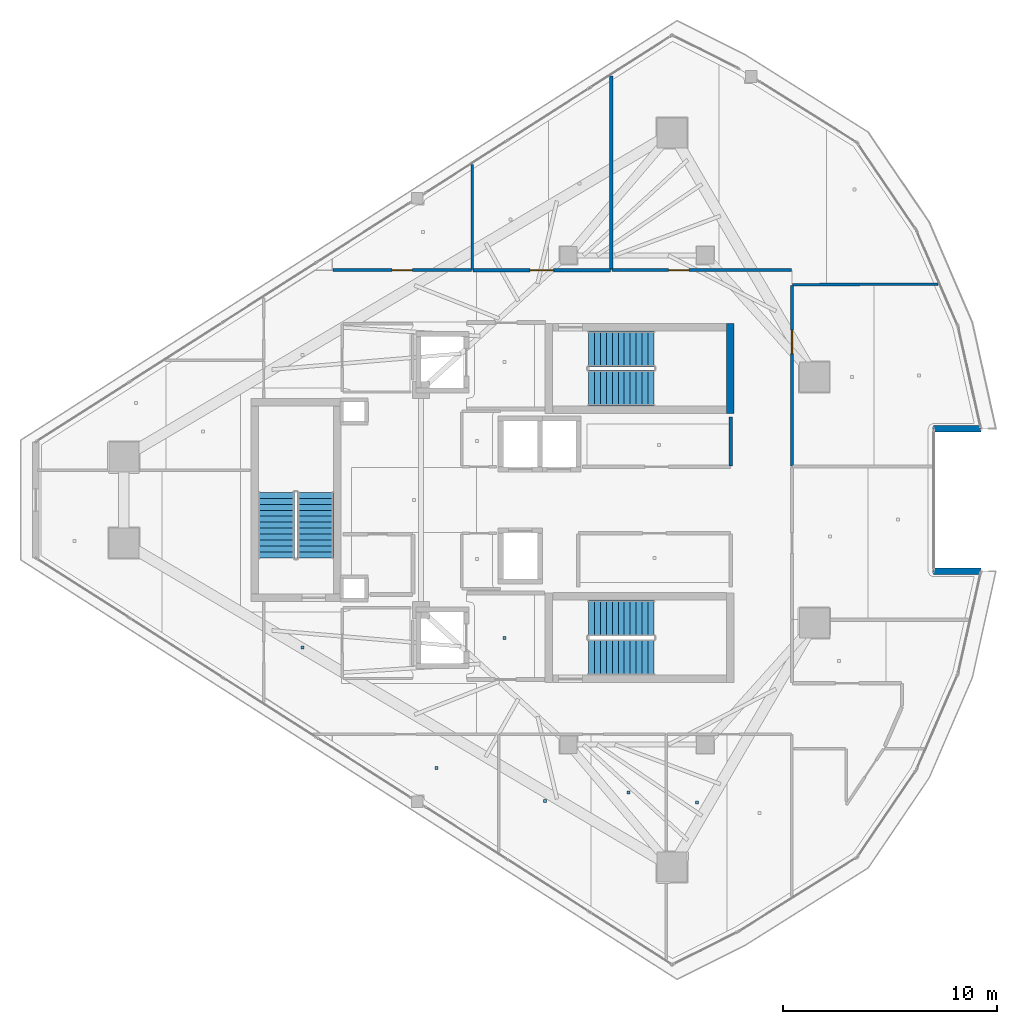
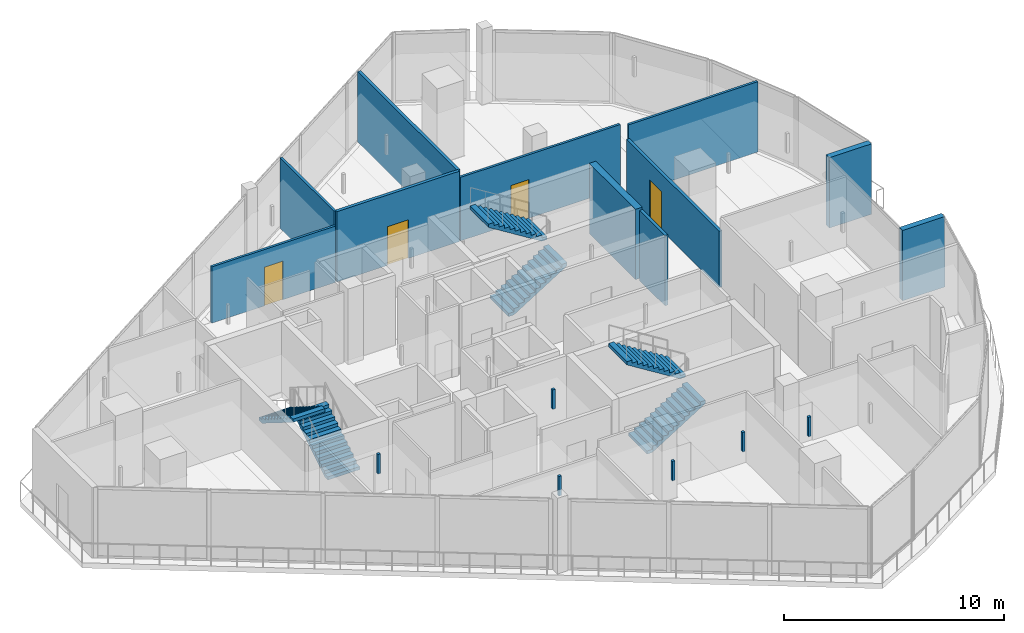
# One storey, part 17 of 23: 11 walls, 6 discrete accessories, 6 stair flights, 4 doors, 4 openings, 3 elements without a shape of their own.
"""IFC4 building model written with IfcOpenShell, lengths in metres."""

from ifc_helpers import new_model, si_unit, direction, frame, frame_2d, origin, origin_2d, place, context, subcontext, project, spatial, polyline, rectangle, outline, extrude, material, layer, layer_set, type_object, element, fill, aggregate, save


model = new_model("IFC4")

# Units and contexts
model_context = context("Model", 3, precision=1e-05, world=origin(), true_north=direction((0.0, 1.0)))
body_context = subcontext(model_context, "Body", "Model", "MODEL_VIEW")
ifc_project = project(units=[si_unit("LENGTHUNIT", "METRE"), si_unit("AREAUNIT", "SQUARE_METRE"), si_unit("VOLUMEUNIT", "CUBIC_METRE"), si_unit("PLANEANGLEUNIT", "RADIAN"), si_unit("MASSUNIT", "GRAM", prefix="KILO")], contexts=[model_context])

# Site, building, storey
site_placement = place(None, origin())
site = spatial("IfcSite", under=ifc_project, at=site_placement, CompositionType="ELEMENT")
building_placement = place(site_placement, origin())
building = spatial("IfcBuilding", under=site, at=building_placement, Name="Qorvath Tower", CompositionType="ELEMENT")
storey_placement = place(building_placement, frame((0.0, 0.0, 310.199951171875)))
storey = spatial("IfcBuildingStorey", under=building, at=storey_placement, Name="L72", CompositionType="ELEMENT", Elevation=310.199951171875)

# Wall
ifc_material_1 = material(Name="Double acoustic gypsum board on steel studs", Category="steel")
ifc_layer_1 = layer(ifc_material_1, 0.159912109375)
ifc_layer_set_1 = layer_set([ifc_layer_1], Name="IW-ACOUSTIC-160")
wall_type_1 = type_object("IfcWallType", Name="IW-ACOUSTIC-160", PredefinedType="PARTITIONING", material=ifc_layer_set_1)
wall_1_placement = place(storey_placement, frame((-16.0, 1.585205078125, 0.0), z_axis=(0.0, 0.0, 1.0), x_axis=(0.0, 1.0, 0.0)))
element("IfcWall", 1, at=wall_1_placement, inside=storey, type_object=wall_type_1, Name="Interior Partition IW-T1-L72-014", PredefinedType="PARTITIONING", context=body_context, shape_type="SweptSolid", body=[
    extrude(rectangle(XDim=2.30224609375, YDim=0.159912109375, at=frame_2d((1.151123046875, 0.0))), origin(), (0.0, 0.0, 1.0), 3.91015625),
])

# Wall, opening, door
wall_2_placement = place(storey_placement, frame((-28.06884765625, 10.758056640625, 0.0), z_axis=(0.0, 0.0, 1.0), x_axis=(1.0, 0.0, 0.0)))
wall_2 = element("IfcWall", 2, at=wall_2_placement, inside=storey, type_object=wall_type_1, Name="Interior Partition IW-T1-L72-029", PredefinedType="PARTITIONING", context=body_context, shape_type="SweptSolid", body=[
    extrude(rectangle(XDim=6.437744140625, YDim=0.159912109375, at=frame_2d((3.21875, 0.0))), origin(), (0.0, 0.0, 1.0), 3.91015625),
])
opening_1_placement = place(wall_2_placement, frame((2.6689453125, 0.0, 0.0)))
opening_1 = element("IfcOpeningElement", 3, at=opening_1_placement, cuts=wall_2, Name="Opening D-T1-L72-08", PredefinedType="OPENING", context=body_context, shape_type="SweptSolid", body=[
    extrude(rectangle(XDim=1.10009765625, YDim=2.14990234375, at=frame_2d((0.550048828125, 1.074951171875))), frame((0.0, 0.08984375, 0.0), z_axis=(0.0, -1.0, 0.0), x_axis=(1.0, 0.0, 0.0)), (0.0, 0.0, 1.0), 0.179931640625),
])
ifc_material_2 = material(Name="Anodised aluminium acoustic framed glass", Category="aluminium")
door_type_1 = type_object("IfcDoorType", Name="D-03", OperationType="NOTDEFINED", PredefinedType="DOOR", material=ifc_material_2)
door_1_placement = place(opening_1_placement, origin())
door_1 = element("IfcDoor", 4, at=door_1_placement, inside=storey, type_object=door_type_1, Name="L72-02 Client Services Office Door D-T1-L72-08", OperationType="SINGLE_SWING_LEFT", OverallHeight=2.14990234375, OverallWidth=1.10009765625, PredefinedType="DOOR", context=body_context, shape_type="SweptSolid", body=[
    extrude(rectangle(XDim=1.10009765625, YDim=2.14990234375, at=frame_2d((0.550048828125, 1.074951171875))), frame((0.0, 0.02490234375, 0.0), z_axis=(0.0, -1.0, 0.0), x_axis=(1.0, 0.0, 0.0)), (0.0, 0.0, 1.0), 0.050048828125),
])
fill(opening_1, door_1)

# Wall
wall_3_placement = place(storey_placement, frame((-21.606201171875, 10.783203125, 0.0), z_axis=(0.0, 0.0, 1.0), x_axis=(0.0, 1.0, 0.0)))
element("IfcWall", 5, at=wall_3_placement, inside=storey, type_object=wall_type_1, Name="Interior Partition IW-T1-L72-030", PredefinedType="PARTITIONING", context=body_context, shape_type="SweptSolid", body=[
    extrude(rectangle(XDim=9.05859375, YDim=0.159912109375, at=frame_2d((4.529296875, 0.0))), origin(), (0.0, 0.0, 1.0), 3.91015625),
])

# Wall, opening, door
wall_4_placement = place(storey_placement, frame((-13.14208984375, 10.041259765625, 0.0), z_axis=(0.0, 0.0, 1.0), x_axis=(0.0, -1.0, 0.0)))
wall_4 = element("IfcWall", 6, at=wall_4_placement, inside=storey, type_object=wall_type_1, Name="Interior Partition IW-T1-L72-051", PredefinedType="PARTITIONING", context=body_context, shape_type="SweptSolid", body=[
    extrude(rectangle(XDim=8.440673828125, YDim=0.159912109375, at=frame_2d((4.22021484375, 0.0))), origin(), (0.0, 0.0, 1.0), 3.130126953125),
])
opening_2_placement = place(wall_4_placement, frame((2.097412109375, 0.0, 0.0)))
opening_2 = element("IfcOpeningElement", 7, at=opening_2_placement, cuts=wall_4, Name="Opening D-T1-L72-15", PredefinedType="OPENING", context=body_context, shape_type="SweptSolid", body=[
    extrude(rectangle(XDim=1.10009765625, YDim=2.14990234375, at=frame_2d((0.550048828125, 1.074951171875))), frame((0.0, 0.08984375, 0.0), z_axis=(0.0, -1.0, 0.0), x_axis=(1.0, 0.0, 0.0)), (0.0, 0.0, 1.0), 0.179931640625),
])
door_2_placement = place(opening_2_placement, origin())
door_2 = element("IfcDoor", 8, at=door_2_placement, inside=storey, type_object=door_type_1, Name="L72-10 Team Project Office Door D-T1-L72-15", OperationType="SINGLE_SWING_RIGHT", OverallHeight=2.14990234375, OverallWidth=1.10009765625, PredefinedType="DOOR", context=body_context, shape_type="SweptSolid", body=[
    extrude(rectangle(XDim=1.10009765625, YDim=2.14990234375, at=frame_2d((0.550048828125, 1.074951171875))), frame((0.0, 0.02490234375, 0.0), z_axis=(0.0, -1.0, 0.0), x_axis=(1.0, 0.0, 0.0)), (0.0, 0.0, 1.0), 0.050048828125),
])
fill(opening_2, door_2)

ifc_material_3 = material(Name="Gypsum board on metal studs with mineral wool", Category="gypsum")
ifc_layer_2 = layer(ifc_material_3, 0.125)
ifc_layer_set_2 = layer_set([ifc_layer_2], Name="IW-PART-125")
wall_type_2 = type_object("IfcWallType", Name="IW-PART-125", PredefinedType="PARTITIONING", material=ifc_layer_set_2)
wall_5_placement = place(storey_placement, frame((-34.625, 10.758056640625, 0.0), z_axis=(0.0, 0.0, 1.0), x_axis=(1.0, 0.0, 0.0)))
wall_5 = element("IfcWall", 9, at=wall_5_placement, inside=storey, type_object=wall_type_2, Name="Interior Partition IW-T1-L72-027", PredefinedType="PARTITIONING", context=body_context, shape_type="SweptSolid", body=[
    extrude(rectangle(XDim=6.498291015625, YDim=0.125, at=frame_2d((3.2490234375, 0.0))), origin(), (0.0, 0.0, 1.0), 3.130126953125),
])
opening_3_placement = place(wall_5_placement, frame((2.774169921875, 0.0, 0.0)))
opening_3 = element("IfcOpeningElement", 10, at=opening_3_placement, cuts=wall_5, Name="Opening D-T1-L72-21", PredefinedType="OPENING", context=body_context, shape_type="SweptSolid", body=[
    extrude(rectangle(XDim=0.949951171875, YDim=2.14990234375, at=frame_2d((0.47509765625, 1.074951171875))), frame((0.0, 0.072509765625, 0.0), z_axis=(0.0, -1.0, 0.0), x_axis=(1.0, 0.0, 0.0)), (0.0, 0.0, 1.0), 0.14501953125),
])
ifc_material_4 = material(Name="Solid-core American white oak veneer", Category="wood")
door_type_2 = type_object("IfcDoorType", Name="D-01", OperationType="NOTDEFINED", PredefinedType="DOOR", material=ifc_material_4)
door_3_placement = place(opening_3_placement, origin())
door_3 = element("IfcDoor", 11, at=door_3_placement, inside=storey, type_object=door_type_2, Name="L72-01 Staff Refreshment Pantry and Coffee Bar Door D-T1-L72-21", OperationType="SINGLE_SWING_RIGHT", OverallHeight=2.14990234375, OverallWidth=0.949951171875, PredefinedType="DOOR", context=body_context, shape_type="SweptSolid", body=[
    extrude(rectangle(XDim=0.949951171875, YDim=2.14990234375, at=frame_2d((0.47509765625, 1.074951171875))), frame((0.0, 0.02490234375, 0.0), z_axis=(0.0, -1.0, 0.0), x_axis=(1.0, 0.0, 0.0)), (0.0, 0.0, 1.0), 0.050048828125),
])
fill(opening_3, door_3)

# Wall
wall_6_placement = place(storey_placement, frame((-28.101806640625, 10.783203125, 0.0), z_axis=(0.0, 0.0, 1.0), x_axis=(0.0, 1.0, 0.0)))
element("IfcWall", 12, at=wall_6_placement, inside=storey, type_object=wall_type_2, Name="Interior Partition IW-T1-L72-028", PredefinedType="PARTITIONING", context=body_context, shape_type="SweptSolid", body=[
    extrude(rectangle(XDim=4.9072265625, YDim=0.125, at=frame_2d((2.45361328125, 0.0))), origin(), (0.0, 0.0, 1.0), 3.91015625),
])

# Wall, opening, door
wall_7_placement = place(storey_placement, frame((-21.573486328125, 10.758056640625, 0.0), z_axis=(0.0, 0.0, 1.0), x_axis=(1.0, 0.0, 0.0)))
wall_7 = element("IfcWall", 13, at=wall_7_placement, inside=storey, type_object=wall_type_2, Name="Interior Partition IW-T1-L72-031", PredefinedType="PARTITIONING", context=body_context, shape_type="SweptSolid", body=[
    extrude(rectangle(XDim=8.406494140625, YDim=0.125, at=frame_2d((4.203125, 0.0))), origin(), (0.0, 0.0, 1.0), 3.529052734375),
])
opening_4_placement = place(wall_7_placement, frame((2.6630859375, 0.0, 0.0)))
opening_4 = element("IfcOpeningElement", 14, at=opening_4_placement, cuts=wall_7, Name="Opening D-T1-L72-22", PredefinedType="OPENING", context=body_context, shape_type="SweptSolid", body=[
    extrude(rectangle(XDim=0.949951171875, YDim=2.14990234375, at=frame_2d((0.47509765625, 1.074951171875))), frame((0.0, 0.072509765625, 0.0), z_axis=(0.0, -1.0, 0.0), x_axis=(1.0, 0.0, 0.0)), (0.0, 0.0, 1.0), 0.14501953125),
])
door_4_placement = place(opening_4_placement, origin())
door_4 = element("IfcDoor", 15, at=door_4_placement, inside=storey, type_object=door_type_2, Name="L72-03 Project Collaboration Workspace Door D-T1-L72-22", OperationType="SINGLE_SWING_LEFT", OverallHeight=2.14990234375, OverallWidth=0.949951171875, PredefinedType="DOOR", context=body_context, shape_type="SweptSolid", body=[
    extrude(rectangle(XDim=0.949951171875, YDim=2.14990234375, at=frame_2d((0.47509765625, 1.074951171875))), frame((0.0, 0.02490234375, 0.0), z_axis=(0.0, -1.0, 0.0), x_axis=(1.0, 0.0, 0.0)), (0.0, 0.0, 1.0), 0.050048828125),
])
fill(opening_4, door_4)

# Walls
wall_8_placement = place(storey_placement, frame((-13.1171875, 10.07421875, 0.0), z_axis=(0.0, 0.0, 1.0), x_axis=(0.999991048549, 0.004231172681, 0.0)))
element("IfcWall", 16, at=wall_8_placement, inside=storey, type_object=wall_type_2, Name="Interior Partition IW-T1-L72-032", PredefinedType="PARTITIONING", context=body_context, shape_type="SweptSolid", body=[
    extrude(rectangle(XDim=6.80859375, YDim=0.125, at=frame_2d((3.404296875, 0.0))), origin(), (0.0, 0.0, 1.0), 3.91015625),
])
ifc_material_5 = material(Name="Concrete C60/75", Category="concrete")
ifc_layer_3 = layer(ifc_material_5, 0.35009765625)
ifc_layer_set_3 = layer_set([ifc_layer_3], Name="SW-STAIR")
wall_type_3 = type_object("IfcWallType", Name="SW-STAIR", PredefinedType="SHEAR", material=ifc_layer_set_3)
wall_9_placement = place(storey_placement, frame((-16.02490234375, 4.050048828125, 0.0), z_axis=(0.0, 0.0, 1.0), x_axis=(0.0, 1.0, 0.0)))
element("IfcWall", 17, at=wall_9_placement, inside=storey, type_object=wall_type_3, Name="Stair TS1 Shear Wall L72 FAR", PredefinedType="SHEAR", context=body_context, shape_type="SweptSolid", body=[
    extrude(rectangle(XDim=4.2099609375, YDim=0.35009765625, at=frame_2d((2.10498046875, 0.0))), origin(), (0.0, 0.0, 1.0), 3.91015625),
])
ifc_material_6 = material(Name="Precast concrete C45/55", Category="concrete")
ifc_layer_4 = layer(ifc_material_6, 0.300048828125)
ifc_layer_set_4 = layer_set([ifc_layer_4], Name="WL-EW-LOG-300")
wall_type_4 = type_object("IfcWallType", Name="WL-EW-LOG-300", PredefinedType="SOLIDWALL", material=ifc_layer_set_4)
for number, where, z_axis, x_axis, name in (
    (18, (-4.2939453125, -3.331787109375, 0.0), (0.0, 0.0, 1.0), (-1.0, 0.0, 0.0), "Tower Precast Loggia Wall L72-8.1"),
    (19, (-6.51513671875, 3.331787109375, 0.0), (0.0, 0.0, 1.0), (1.0, 0.0, 0.0), "Tower Precast Loggia Wall L72-10.1"),
):
    element("IfcWall", number, at=place(storey_placement, frame(where, z_axis=z_axis, x_axis=x_axis)), inside=storey, type_object=wall_type_4, Name=name, PredefinedType="SOLIDWALL", context=body_context, shape_type="SweptSolid", body=[
        extrude(rectangle(XDim=2.22119140625, YDim=0.300048828125, at=frame_2d((1.110595703125, 0.0))), origin(), (0.0, 0.0, 1.0), 3.91015625),
    ])

# Stair, stair flights
ifc_material_7 = material(Name="Concrete C50/60", Category="concrete")
stair_type = type_object("IfcStairType", Name="ST-H420", PredefinedType="HALF_TURN_STAIR", material=ifc_material_7)
stair_1_placement = place(storey_placement, origin())
stair_1 = element("IfcStair", 20, at=stair_1_placement, inside=storey, type_object=stair_type, Name="L72 Tower Exit Stair 1", PredefinedType="HALF_TURN_STAIR")
ifc_material_8 = material(Name="Concrete C50/60", Category="concrete")
ifc_layer_5 = layer(ifc_material_8, 0.14990234375)
ifc_layer_set_5 = layer_set([ifc_layer_5], Name="SF-H420")
stair_flight_type = type_object("IfcStairFlightType", Name="SF-H420", PredefinedType="STRAIGHT", material=ifc_layer_set_5)
stair_flight_1_placement = place(storey_placement, frame((-22.669921875, 5.239990234375, 0.0), z_axis=(0.0, 0.0, 1.0), x_axis=(1.0, 0.0, 0.0)))
stair_flight_1 = element("IfcStairFlight", 21, at=stair_flight_1_placement, type_object=stair_flight_type, Name="TS1 flight 1", NumberOfRisers=12, NumberOfTreads=11, PredefinedType="STRAIGHT", RiserHeight=0.175, TreadLength=0.28, context=body_context, shape_type="SweptSolid", body=[
    extrude(outline(polyline([(0.0, 0.0), (0.0, 0.175048828125), (0.280029296875, 0.175048828125), (0.280029296875, 0.35009765625), (0.56005859375, 0.35009765625), (0.56005859375, 0.52490234375), (0.840087890625, 0.52490234375), (0.840087890625, 0.699951171875), (1.1201171875, 0.699951171875), (1.1201171875, 0.875), (1.39990234375, 0.875), (1.39990234375, 1.050048828125), (1.679931640625, 1.050048828125), (1.679931640625, 1.22509765625), (1.9599609375, 1.22509765625), (1.9599609375, 1.39990234375), (2.239990234375, 1.39990234375), (2.239990234375, 1.574951171875), (2.52001953125, 1.574951171875), (2.52001953125, 1.75), (2.800048828125, 1.75), (2.800048828125, 1.925048828125), (3.080078125, 1.925048828125), (3.080078125, 2.10009765625), (3.080078125, 1.748291015625), (0.28271484375, 0.0), (0.0, 0.0)])), frame((0.0, 0.83984375, 0.0), z_axis=(0.0, -1.0, 0.0), x_axis=(1.0, 0.0, 0.0)), (0.0, 0.0, 1.0), 1.679931640625),
])
stair_flight_2_placement = place(storey_placement, frame((-19.590087890625, 7.070068359375, 2.10009765625), z_axis=(0.0, 0.0, 1.0), x_axis=(-1.0, 0.0, 0.0)))
stair_flight_2 = element("IfcStairFlight", 22, at=stair_flight_2_placement, type_object=stair_flight_type, Name="TS1 flight 2", NumberOfRisers=12, NumberOfTreads=11, PredefinedType="STRAIGHT", RiserHeight=0.175, TreadLength=0.28, context=body_context, shape_type="SweptSolid", body=[
    extrude(outline(polyline([(0.0, 0.0), (0.0, 0.175048828125), (0.280029296875, 0.175048828125), (0.280029296875, 0.35009765625), (0.56005859375, 0.35009765625), (0.56005859375, 0.52490234375), (0.840087890625, 0.52490234375), (0.840087890625, 0.699951171875), (1.1201171875, 0.699951171875), (1.1201171875, 0.875), (1.39990234375, 0.875), (1.39990234375, 1.050048828125), (1.679931640625, 1.050048828125), (1.679931640625, 1.22509765625), (1.9599609375, 1.22509765625), (1.9599609375, 1.39990234375), (2.239990234375, 1.39990234375), (2.239990234375, 1.574951171875), (2.52001953125, 1.574951171875), (2.52001953125, 1.75), (2.800048828125, 1.75), (2.800048828125, 1.925048828125), (3.080078125, 1.925048828125), (3.080078125, 2.10009765625), (3.080078125, 1.748291015625), (0.28271484375, 0.0), (0.0, 0.0)])), frame((0.0, 0.83984375, 0.0), z_axis=(0.0, -1.0, 0.0), x_axis=(1.0, 0.0, 0.0)), (0.0, 0.0, 1.0), 1.679931640625),
])
aggregate(stair_1, [stair_flight_1, stair_flight_2])

stair_2_placement = place(storey_placement, origin())
stair_2 = element("IfcStair", 23, at=stair_2_placement, inside=storey, type_object=stair_type, Name="L72 Tower Exit Stair 2", PredefinedType="HALF_TURN_STAIR")
stair_flight_3_placement = place(storey_placement, frame((-22.669921875, -7.360107421875, 0.0), z_axis=(0.0, 0.0, 1.0), x_axis=(1.0, 0.0, 0.0)))
stair_flight_3 = element("IfcStairFlight", 24, at=stair_flight_3_placement, type_object=stair_flight_type, Name="TS2 flight 1", NumberOfRisers=12, NumberOfTreads=11, PredefinedType="STRAIGHT", RiserHeight=0.175, TreadLength=0.28, context=body_context, shape_type="SweptSolid", body=[
    extrude(outline(polyline([(0.0, 0.0), (0.0, 0.175048828125), (0.280029296875, 0.175048828125), (0.280029296875, 0.35009765625), (0.56005859375, 0.35009765625), (0.56005859375, 0.52490234375), (0.840087890625, 0.52490234375), (0.840087890625, 0.699951171875), (1.1201171875, 0.699951171875), (1.1201171875, 0.875), (1.39990234375, 0.875), (1.39990234375, 1.050048828125), (1.679931640625, 1.050048828125), (1.679931640625, 1.22509765625), (1.9599609375, 1.22509765625), (1.9599609375, 1.39990234375), (2.239990234375, 1.39990234375), (2.239990234375, 1.574951171875), (2.52001953125, 1.574951171875), (2.52001953125, 1.75), (2.800048828125, 1.75), (2.800048828125, 1.925048828125), (3.080078125, 1.925048828125), (3.080078125, 2.10009765625), (3.080078125, 1.748291015625), (0.28271484375, 0.0), (0.0, 0.0)])), frame((0.0, 0.83984375, 0.0), z_axis=(0.0, -1.0, 0.0), x_axis=(1.0, 0.0, 0.0)), (0.0, 0.0, 1.0), 1.679931640625),
])
stair_flight_4_placement = place(storey_placement, frame((-19.590087890625, -5.530029296875, 2.10009765625), z_axis=(0.0, 0.0, 1.0), x_axis=(-1.0, 0.0, 0.0)))
stair_flight_4 = element("IfcStairFlight", 25, at=stair_flight_4_placement, type_object=stair_flight_type, Name="TS2 flight 2", NumberOfRisers=12, NumberOfTreads=11, PredefinedType="STRAIGHT", RiserHeight=0.175, TreadLength=0.28, context=body_context, shape_type="SweptSolid", body=[
    extrude(outline(polyline([(0.0, 0.0), (0.0, 0.175048828125), (0.280029296875, 0.175048828125), (0.280029296875, 0.35009765625), (0.56005859375, 0.35009765625), (0.56005859375, 0.52490234375), (0.840087890625, 0.52490234375), (0.840087890625, 0.699951171875), (1.1201171875, 0.699951171875), (1.1201171875, 0.875), (1.39990234375, 0.875), (1.39990234375, 1.050048828125), (1.679931640625, 1.050048828125), (1.679931640625, 1.22509765625), (1.9599609375, 1.22509765625), (1.9599609375, 1.39990234375), (2.239990234375, 1.39990234375), (2.239990234375, 1.574951171875), (2.52001953125, 1.574951171875), (2.52001953125, 1.75), (2.800048828125, 1.75), (2.800048828125, 1.925048828125), (3.080078125, 1.925048828125), (3.080078125, 2.10009765625), (3.080078125, 1.748291015625), (0.28271484375, 0.0), (0.0, 0.0)])), frame((0.0, 0.83984375, 0.0), z_axis=(0.0, -1.0, 0.0), x_axis=(1.0, 0.0, 0.0)), (0.0, 0.0, 1.0), 1.679931640625),
])
aggregate(stair_2, [stair_flight_3, stair_flight_4])

stair_3_placement = place(storey_placement, origin())
stair_3 = element("IfcStair", 26, at=stair_3_placement, inside=storey, type_object=stair_type, Name="L72 Tower Exit Stair 3", PredefinedType="HALF_TURN_STAIR")
stair_flight_5_placement = place(storey_placement, frame((-35.43994140625, -2.719970703125, 0.0), z_axis=(0.0, 0.0, 1.0), x_axis=(0.0, 1.0, 0.0)))
stair_flight_5 = element("IfcStairFlight", 27, at=stair_flight_5_placement, type_object=stair_flight_type, Name="TS3 flight 1", NumberOfRisers=12, NumberOfTreads=11, PredefinedType="STRAIGHT", RiserHeight=0.175, TreadLength=0.28, context=body_context, shape_type="SweptSolid", body=[
    extrude(outline(polyline([(0.0, 0.0), (0.0, 0.175048828125), (0.280029296875, 0.175048828125), (0.280029296875, 0.35009765625), (0.56005859375, 0.35009765625), (0.56005859375, 0.52490234375), (0.840087890625, 0.52490234375), (0.840087890625, 0.699951171875), (1.1201171875, 0.699951171875), (1.1201171875, 0.875), (1.39990234375, 0.875), (1.39990234375, 1.050048828125), (1.679931640625, 1.050048828125), (1.679931640625, 1.22509765625), (1.9599609375, 1.22509765625), (1.9599609375, 1.39990234375), (2.239990234375, 1.39990234375), (2.239990234375, 1.574951171875), (2.52001953125, 1.574951171875), (2.52001953125, 1.75), (2.800048828125, 1.75), (2.800048828125, 1.925048828125), (3.080078125, 1.925048828125), (3.080078125, 2.10009765625), (3.080078125, 1.748291015625), (0.28271484375, 0.0), (0.0, 0.0)])), frame((0.0, 0.83984375, 0.0), z_axis=(0.0, -1.0, 0.0), x_axis=(1.0, 0.0, 0.0)), (0.0, 0.0, 1.0), 1.679931640625),
])
stair_flight_6_placement = place(storey_placement, frame((-37.27001953125, 0.360107421875, 2.10009765625), z_axis=(0.0, 0.0, 1.0), x_axis=(0.0, -1.0, 0.0)))
stair_flight_6 = element("IfcStairFlight", 28, at=stair_flight_6_placement, type_object=stair_flight_type, Name="TS3 flight 2", NumberOfRisers=12, NumberOfTreads=11, PredefinedType="STRAIGHT", RiserHeight=0.175, TreadLength=0.28, context=body_context, shape_type="SweptSolid", body=[
    extrude(outline(polyline([(0.0, 0.0), (0.0, 0.175048828125), (0.280029296875, 0.175048828125), (0.280029296875, 0.35009765625), (0.56005859375, 0.35009765625), (0.56005859375, 0.52490234375), (0.840087890625, 0.52490234375), (0.840087890625, 0.699951171875), (1.1201171875, 0.699951171875), (1.1201171875, 0.875), (1.39990234375, 0.875), (1.39990234375, 1.050048828125), (1.679931640625, 1.050048828125), (1.679931640625, 1.22509765625), (1.9599609375, 1.22509765625), (1.9599609375, 1.39990234375), (2.239990234375, 1.39990234375), (2.239990234375, 1.574951171875), (2.52001953125, 1.574951171875), (2.52001953125, 1.75), (2.800048828125, 1.75), (2.800048828125, 1.925048828125), (3.080078125, 1.925048828125), (3.080078125, 2.10009765625), (3.080078125, 1.748291015625), (0.28271484375, 0.0), (0.0, 0.0)])), frame((0.0, 0.83984375, 0.0), z_axis=(0.0, -1.0, 0.0), x_axis=(1.0, 0.0, 0.0)), (0.0, 0.0, 1.0), 1.679931640625),
])
aggregate(stair_3, [stair_flight_5, stair_flight_6])

# Discrete accessories
ifc_material_9 = material(Name="Galvanised steel bracket", Category="steel")
discrete_accessory_type = type_object("IfcDiscreteAccessoryType", Name="DA-BRACKET", PredefinedType="BRACKET", material=ifc_material_9)
for number, where, z_axis, x_axis, name in (
    (29, (-26.590087890625, -6.449951171875, 2.860107421875), (0.0, 0.0, 1.0), (1.0, 0.0, 0.0), "Acoustic Ceiling Suspension Hanger T1-L72-002"),
    (30, (-36.04150390625, -6.907958984375, 2.860107421875), (0.0, 0.0, 1.0), (1.0, 0.0, 0.0), "Acoustic Ceiling Suspension Hanger T1-L72-011"),
    (31, (-29.778076171875, -12.53759765625, 2.860107421875), (0.0, 0.0, 1.0), (1.0, 0.0, 0.0), "Acoustic Ceiling Suspension Hanger T1-L72-019"),
    (32, (-24.700927734375, -14.07958984375, 2.860107421875), (0.0, 0.0, 1.0), (1.0, 0.0, 0.0), "Acoustic Ceiling Suspension Hanger T1-L72-020"),
    (33, (-20.791015625, -13.689208984375, 2.860107421875), (0.0, 0.0, 1.0), (1.0, 0.0, 0.0), "Acoustic Ceiling Suspension Hanger T1-L72-021"),
    (34, (-17.593994140625, -14.154052734375, 2.860107421875), (0.0, 0.0, 1.0), (1.0, 0.0, 0.0), "Acoustic Ceiling Suspension Hanger T1-L72-022"),
):
    element("IfcDiscreteAccessory", number, at=place(storey_placement, frame(where, z_axis=z_axis, x_axis=x_axis)), inside=storey, type_object=discrete_accessory_type, Name=name, PredefinedType="NOTDEFINED", context=body_context, shape_type="SweptSolid", body=[
        extrude(rectangle(XDim=0.139892578125, YDim=0.139892578125, at=origin_2d()), origin(), (0.0, 0.0, 1.0), 1.080078125),
    ])

save(model, "model.ifc")
